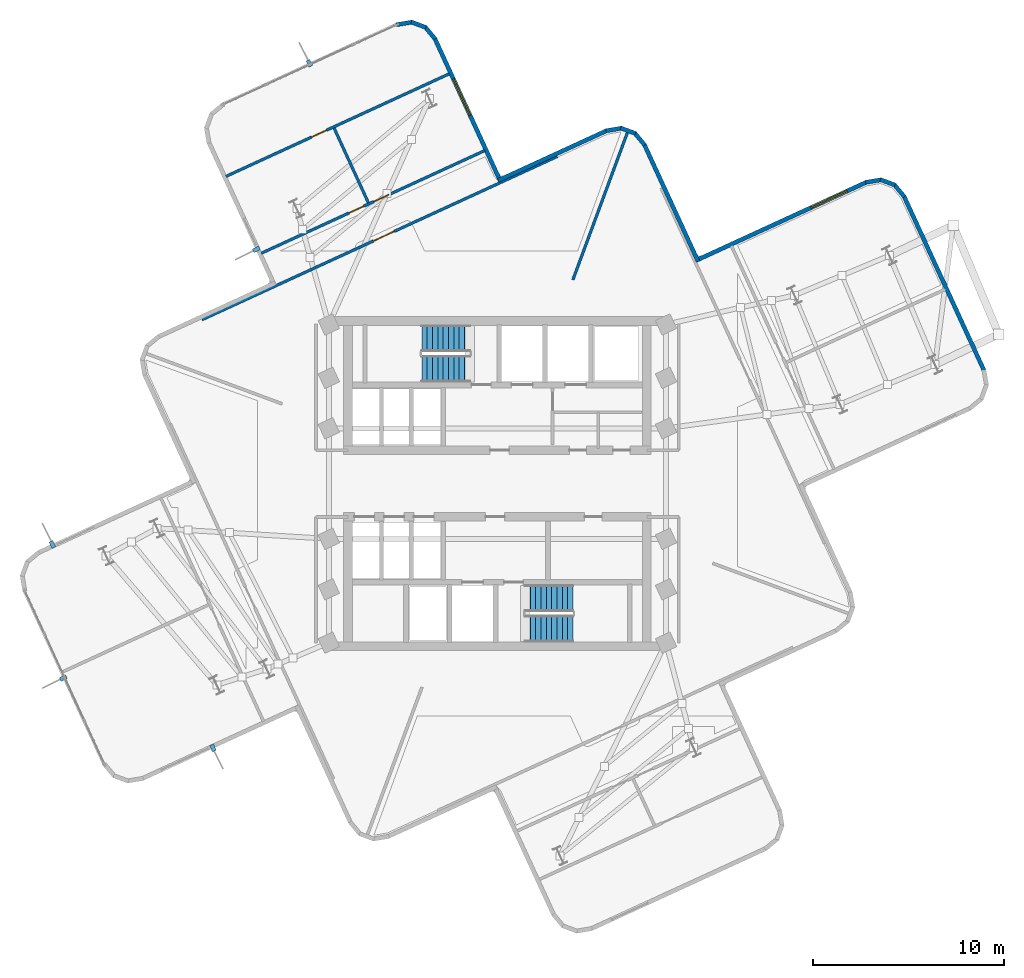
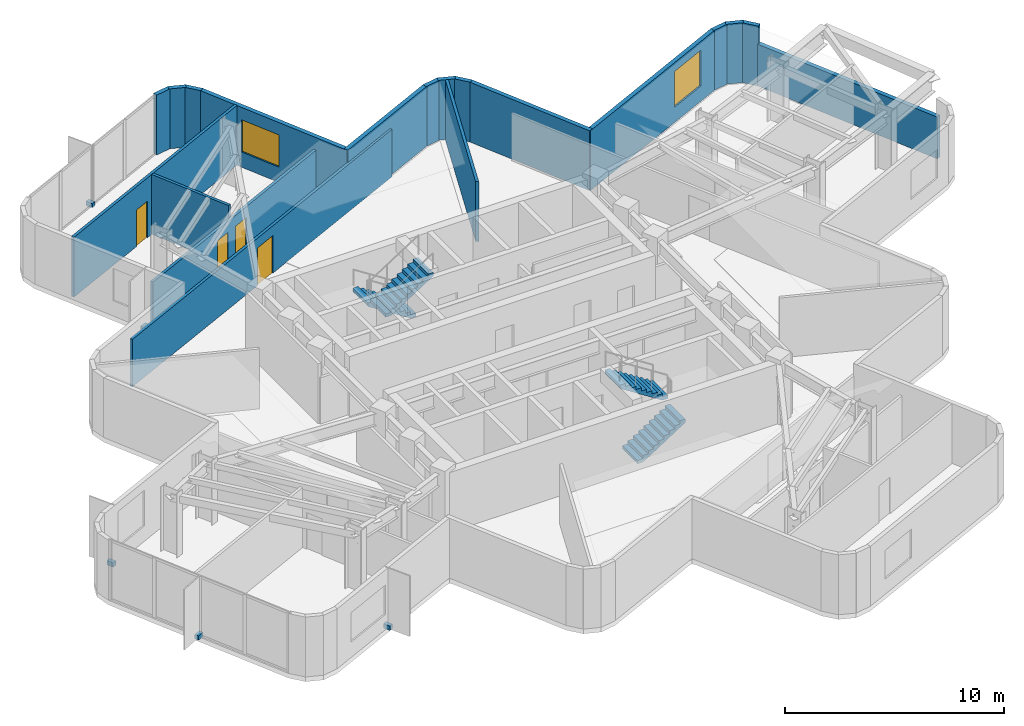
# One storey, part 8 of 11: 19 walls, 5 discrete accessories, 4 doors, 4 stair flights, 2 windows, 6 openings, 2 elements without a shape of their own.
"""IFC4 building model written with IfcOpenShell, lengths in metres."""

from ifc_helpers import new_model, si_unit, direction, frame, frame_2d, origin, origin_2d, place, context, subcontext, project, spatial, polyline, rectangle, outline, extrude, material, layer, layer_set, type_object, element, fill, aggregate, save


model = new_model("IFC4")

# Units and contexts
model_context = context("Model", 3, precision=1e-05, world=origin(), true_north=direction((0.0, 1.0)))
body_context = subcontext(model_context, "Body", "Model", "MODEL_VIEW")
ifc_project = project(units=[si_unit("LENGTHUNIT", "METRE"), si_unit("AREAUNIT", "SQUARE_METRE"), si_unit("VOLUMEUNIT", "CUBIC_METRE"), si_unit("PLANEANGLEUNIT", "RADIAN"), si_unit("MASSUNIT", "GRAM", prefix="KILO")], contexts=[model_context])

# Site, building, storey
site_placement = place(None, origin())
site = spatial("IfcSite", under=ifc_project, at=site_placement, CompositionType="ELEMENT")
building_placement = place(site_placement, origin())
building = spatial("IfcBuilding", under=site, at=building_placement, Name="Solmarez Civic Tower", CompositionType="ELEMENT")
storey_placement = place(building_placement, frame((0.0, 0.0, 184.679931640625)))
storey = spatial("IfcBuildingStorey", under=building, at=storey_placement, Name="L49", CompositionType="ELEMENT", Elevation=184.679931640625)

# Walls
ifc_material_1 = material(Name="Precast concrete C40/50", Category="concrete")
ifc_layer_1 = layer(ifc_material_1, 0.219970703125)
ifc_layer_set_1 = layer_set([ifc_layer_1], Name="Precast concrete C40/50")
wall_type_1 = type_object("IfcWallType", Name="WALL-EXT-220", PredefinedType="SOLIDWALL", material=ifc_layer_set_1)
wall_1_placement = place(storey_placement, frame((-5.299072265625, 24.083984375, 0.0), z_axis=(0.0, 0.0, 1.0), x_axis=(0.985810875322, 0.167859816801, 0.0)))
element("IfcWall", 1, at=wall_1_placement, inside=storey, type_object=wall_type_1, Name="L49 Exterior Precast Wall 25", PredefinedType="SOLIDWALL", context=body_context, shape_type="SweptSolid", body=[
    extrude(rectangle(XDim=0.8349609375, YDim=0.219970703125, at=frame_2d((0.41748046875, 0.0))), origin(), (0.0, 0.0, 1.0), 3.340087890625),
])
wall_2_placement = place(storey_placement, frame((-4.52392578125, 24.22900390625, 0.0), z_axis=(0.0, 0.0, 1.0), x_axis=(0.937391870112, -0.348276444578, 0.0)))
element("IfcWall", 2, at=wall_2_placement, inside=storey, type_object=wall_type_1, Name="L49 Exterior Precast Wall 26", PredefinedType="SOLIDWALL", context=body_context, shape_type="SweptSolid", body=[
    extrude(rectangle(XDim=0.818115234375, YDim=0.219970703125, at=frame_2d((0.4091796875, 0.0))), origin(), (0.0, 0.0, 1.0), 3.340087890625),
])
wall_3_placement = place(storey_placement, frame((-3.7958984375, 23.971923828125, 0.0), z_axis=(0.0, 0.0, 1.0), x_axis=(0.638830552104, -0.769347467467, 0.0)))
element("IfcWall", 3, at=wall_3_placement, inside=storey, type_object=wall_type_1, Name="L49 Exterior Precast Wall 27", PredefinedType="SOLIDWALL", context=body_context, shape_type="SweptSolid", body=[
    extrude(rectangle(XDim=0.834228515625, YDim=0.219970703125, at=frame_2d((0.4169921875, 0.0))), origin(), (0.0, 0.0, 1.0), 3.340087890625),
])

# Wall, opening, window
wall_4_placement = place(storey_placement, frame((-3.2890625, 23.3720703125, 0.0), z_axis=(0.0, 0.0, 1.0), x_axis=(0.417514685416, -0.90867017529, 0.0)))
wall_4 = element("IfcWall", 4, at=wall_4_placement, inside=storey, type_object=wall_type_1, Name="L49 Exterior Precast Wall 28", PredefinedType="SOLIDWALL", context=body_context, shape_type="SweptSolid", body=[
    extrude(rectangle(XDim=8.25830078125, YDim=0.219970703125, at=frame_2d((4.129150390625, 0.0))), origin(), (0.0, 0.0, 1.0), 3.340087890625),
])
opening_1_placement = place(wall_4_placement, frame((2.35009765625, 0.0, 0.85009765625)))
opening_1 = element("IfcOpeningElement", 5, at=opening_1_placement, cuts=wall_4, Name="Opening W-07", PredefinedType="OPENING", context=body_context, shape_type="SweptSolid", body=[
    extrude(rectangle(XDim=2.10009765625, YDim=1.800048828125, at=frame_2d((1.050048828125, 0.89990234375))), frame((0.0, 0.119873046875, 0.0), z_axis=(0.0, -1.0, 0.0), x_axis=(1.0, 0.0, 0.0)), (0.0, 0.0, 1.0), 0.239990234375),
])
ifc_material_2 = material(Name="Solar Control Bronze-Tinted Insulating Glass", Category="glass")
window_type_1 = type_object("IfcWindowType", Name="WIN-2100X1800", PartitioningType="SINGLE_PANEL", PredefinedType="WINDOW", material=ifc_material_2)
window_1_placement = place(opening_1_placement, origin())
window_1 = element("IfcWindow", 6, at=window_1_placement, inside=storey, type_object=window_type_1, Name="L49 Exterior Facade Window 28", OverallHeight=1.800048828125, OverallWidth=2.10009765625, PartitioningType="SINGLE_PANEL", PredefinedType="WINDOW", context=body_context, shape_type="SweptSolid", body=[
    extrude(rectangle(XDim=2.10009765625, YDim=1.800048828125, at=frame_2d((1.050048828125, 0.89990234375))), frame((0.0, 0.030029296875, 0.0), z_axis=(0.0, -1.0, 0.0), x_axis=(1.0, 0.0, 0.0)), (0.0, 0.0, 1.0), 0.06005859375),
])
fill(opening_1, window_1)

# Walls
wall_5_placement = place(storey_placement, frame((0.0419921875, 15.910888671875, 0.0), z_axis=(0.0, 0.0, 1.0), x_axis=(0.908686412759, 0.417479344719, 0.0)))
element("IfcWall", 7, at=wall_5_placement, inside=storey, type_object=wall_type_1, Name="L49 Exterior Precast Wall 31", PredefinedType="SOLIDWALL", context=body_context, shape_type="SweptSolid", body=[
    extrude(rectangle(XDim=6.2783203125, YDim=0.219970703125, at=frame_2d((3.13916015625, 0.0))), origin(), (0.0, 0.0, 1.0), 3.340087890625),
])
wall_6_placement = place(storey_placement, frame((5.698974609375, 18.51806640625, 0.0), z_axis=(0.0, 0.0, 1.0), x_axis=(0.985892022342, 0.167382556682, 0.0)))
element("IfcWall", 8, at=wall_6_placement, inside=storey, type_object=wall_type_1, Name="L49 Exterior Precast Wall 32", PredefinedType="SOLIDWALL", context=body_context, shape_type="SweptSolid", body=[
    extrude(rectangle(XDim=0.835693359375, YDim=0.219970703125, at=frame_2d((0.41796875, 0.0))), origin(), (0.0, 0.0, 1.0), 3.340087890625),
])
wall_7_placement = place(storey_placement, frame((6.47509765625, 18.6630859375, 0.0), z_axis=(0.0, 0.0, 1.0), x_axis=(0.937294412261, -0.348538641681, 0.0)))
element("IfcWall", 9, at=wall_7_placement, inside=storey, type_object=wall_type_1, Name="L49 Exterior Precast Wall 33", PredefinedType="SOLIDWALL", context=body_context, shape_type="SweptSolid", body=[
    extrude(rectangle(XDim=0.818115234375, YDim=0.219970703125, at=frame_2d((0.4091796875, 0.0))), origin(), (0.0, 0.0, 1.0), 3.340087890625),
])
wall_8_placement = place(storey_placement, frame((7.202880859375, 18.406005859375, 0.0), z_axis=(0.0, 0.0, 1.0), x_axis=(0.638859924235, -0.769323077261, 0.0)))
element("IfcWall", 10, at=wall_8_placement, inside=storey, type_object=wall_type_1, Name="L49 Exterior Precast Wall 34", PredefinedType="SOLIDWALL", context=body_context, shape_type="SweptSolid", body=[
    extrude(rectangle(XDim=0.834716796875, YDim=0.219970703125, at=frame_2d((0.41748046875, 0.0))), origin(), (0.0, 0.0, 1.0), 3.340087890625),
])
wall_9_placement = place(storey_placement, frame((7.7099609375, 17.805908203125, 0.0), z_axis=(0.0, 0.0, 1.0), x_axis=(0.417566275734, -0.908646468859, 0.0)))
element("IfcWall", 11, at=wall_9_placement, inside=storey, type_object=wall_type_1, Name="L49 Exterior Precast Wall 35", PredefinedType="SOLIDWALL", context=body_context, shape_type="SweptSolid", body=[
    extrude(rectangle(XDim=6.75830078125, YDim=0.219970703125, at=frame_2d((3.379150390625, 0.0))), origin(), (0.0, 0.0, 1.0), 3.340087890625),
])

# Wall, opening, window
wall_10_placement = place(storey_placement, frame((10.4150390625, 11.7080078125, 0.0), z_axis=(0.0, 0.0, 1.0), x_axis=(0.908672019386, 0.41751067194, 0.0)))
wall_10 = element("IfcWall", 12, at=wall_10_placement, inside=storey, type_object=wall_type_1, Name="L49 Exterior Precast Wall 38", PredefinedType="SOLIDWALL", context=body_context, shape_type="SweptSolid", body=[
    extrude(rectangle(XDim=9.8583984375, YDim=0.219970703125, at=frame_2d((4.92919921875, 0.0))), origin(), (0.0, 0.0, 1.0), 3.340087890625),
])
opening_2_placement = place(wall_10_placement, frame((6.639892578125, 0.0, 0.85009765625)))
opening_2 = element("IfcOpeningElement", 13, at=opening_2_placement, cuts=wall_10, Name="Opening W-03", PredefinedType="OPENING", context=body_context, shape_type="SweptSolid", body=[
    extrude(rectangle(XDim=2.10009765625, YDim=2.0, at=frame_2d((1.050048828125, 1.0))), frame((0.0, 0.119873046875, 0.0), z_axis=(0.0, -1.0, 0.0), x_axis=(1.0, 0.0, 0.0)), (0.0, 0.0, 1.0), 0.239990234375),
])
window_type_2 = type_object("IfcWindowType", Name="WIN-2100X2000", PartitioningType="SINGLE_PANEL", PredefinedType="WINDOW", material=ifc_material_2)
window_2_placement = place(opening_2_placement, origin())
window_2 = element("IfcWindow", 14, at=window_2_placement, inside=storey, type_object=window_type_2, Name="L49 Exterior Facade Window 38", OverallHeight=2.0, OverallWidth=2.10009765625, PartitioningType="SINGLE_PANEL", PredefinedType="WINDOW", context=body_context, shape_type="SweptSolid", body=[
    extrude(rectangle(XDim=2.10009765625, YDim=2.0, at=frame_2d((1.050048828125, 1.0))), frame((0.0, 0.030029296875, 0.0), z_axis=(0.0, -1.0, 0.0), x_axis=(1.0, 0.0, 0.0)), (0.0, 0.0, 1.0), 0.06005859375),
])
fill(opening_2, window_2)

# Walls
wall_11_placement = place(storey_placement, frame((19.324951171875, 15.81005859375, 0.0), z_axis=(0.0, 0.0, 1.0), x_axis=(0.985859228908, 0.167575597201, 0.0)))
element("IfcWall", 15, at=wall_11_placement, inside=storey, type_object=wall_type_1, Name="L49 Exterior Precast Wall 39", PredefinedType="SOLIDWALL", context=body_context, shape_type="SweptSolid", body=[
    extrude(rectangle(XDim=0.834716796875, YDim=0.219970703125, at=frame_2d((0.41748046875, 0.0))), origin(), (0.0, 0.0, 1.0), 3.340087890625),
])
wall_12_placement = place(storey_placement, frame((20.10009765625, 15.955078125, 0.0), z_axis=(0.0, 0.0, 1.0), x_axis=(0.937294412261, -0.348538641681, 0.0)))
element("IfcWall", 16, at=wall_12_placement, inside=storey, type_object=wall_type_1, Name="L49 Exterior Precast Wall 40", PredefinedType="SOLIDWALL", context=body_context, shape_type="SweptSolid", body=[
    extrude(rectangle(XDim=0.818115234375, YDim=0.219970703125, at=frame_2d((0.4091796875, 0.0))), origin(), (0.0, 0.0, 1.0), 3.340087890625),
])
wall_13_placement = place(storey_placement, frame((20.827880859375, 15.697998046875, 0.0), z_axis=(0.0, 0.0, 1.0), x_axis=(0.638859924235, -0.769323077261, 0.0)))
element("IfcWall", 17, at=wall_13_placement, inside=storey, type_object=wall_type_1, Name="L49 Exterior Precast Wall 41", PredefinedType="SOLIDWALL", context=body_context, shape_type="SweptSolid", body=[
    extrude(rectangle(XDim=0.834716796875, YDim=0.219970703125, at=frame_2d((0.41748046875, 0.0))), origin(), (0.0, 0.0, 1.0), 3.340087890625),
])
wall_14_placement = place(storey_placement, frame((21.3349609375, 15.097900390625, 0.0), z_axis=(0.0, 0.0, 1.0), x_axis=(0.417474282076, -0.90868873868, 0.0)))
element("IfcWall", 18, at=wall_14_placement, inside=storey, type_object=wall_type_1, Name="L49 Exterior Precast Wall 42", PredefinedType="SOLIDWALL", context=body_context, shape_type="SweptSolid", body=[
    extrude(rectangle(XDim=10.101318359375, YDim=0.219970703125, at=frame_2d((5.05078125, 0.0))), origin(), (0.0, 0.0, 1.0), 2.33203125),
])
ifc_material_3 = material(Name="Gypsum Board Acoustic Steel-Stud Partition", Category="steel")
ifc_layer_2 = layer(ifc_material_3, 0.14501953125)
ifc_layer_set_2 = layer_set([ifc_layer_2], Name="Gypsum Board Acoustic Steel-Stud Partition")
wall_type_2 = type_object("IfcWallType", Name="WALL-INT-PART-150", PredefinedType="PARTITIONING", material=ifc_layer_set_2)
wall_15_placement = place(storey_placement, frame((3.958984375, 10.69091796875, 0.0), z_axis=(0.0, 0.0, 1.0), x_axis=(0.347243238044, 0.937775097576, 0.0)))
element("IfcWall", 19, at=wall_15_placement, inside=storey, type_object=wall_type_2, Name="L49 Interior Partition PT-L49-QDIV-1", PredefinedType="PARTITIONING", context=body_context, shape_type="SweptSolid", body=[
    extrude(rectangle(XDim=8.27392578125, YDim=0.14501953125, at=frame_2d((4.136962890625, 0.0))), origin(), (0.0, 0.0, 1.0), 3.340087890625),
])

# Wall, opening, door
wall_16_placement = place(storey_placement, frame((-15.508056640625, 8.60009765625, 0.0), z_axis=(0.0, 0.0, 1.0), x_axis=(0.908644148726, 0.41757132443, 0.0)))
wall_16 = element("IfcWall", 20, at=wall_16_placement, inside=storey, type_object=wall_type_2, Name="L49 Interior Partition PT-L49-N-ENT", PredefinedType="PARTITIONING", context=body_context, shape_type="SweptSolid", body=[
    extrude(rectangle(XDim=20.520751953125, YDim=0.14501953125, at=frame_2d((10.26025390625, 0.0))), origin(), (0.0, 0.0, 1.0), 2.64404296875),
])
opening_3_placement = place(wall_16_placement, frame((9.89990234375, 0.0, 0.0)))
opening_3 = element("IfcOpeningElement", 21, at=opening_3_placement, cuts=wall_16, Name="Opening D-11", PredefinedType="OPENING", context=body_context, shape_type="SweptSolid", body=[
    extrude(rectangle(XDim=1.199951171875, YDim=2.10009765625, at=frame_2d((0.60009765625, 1.050048828125))), frame((0.0, 0.08251953125, 0.0), z_axis=(0.0, -1.0, 0.0), x_axis=(1.0, 0.0, 0.0)), (0.0, 0.0, 1.0), 0.1650390625),
])
ifc_material_4 = material(Name="Glazed-Vision Acoustic Chamber Door", Category="wood")
door_type_1 = type_object("IfcDoorType", Name="DOOR-INT-1200", OperationType="NOTDEFINED", PredefinedType="DOOR", material=ifc_material_4)
door_1_placement = place(opening_3_placement, origin())
door_1 = element("IfcDoor", 22, at=door_1_placement, inside=storey, type_object=door_type_1, Name="L49 Civic Lecture Classroom First North Door", OperationType="SINGLE_SWING_LEFT", OverallHeight=2.10009765625, OverallWidth=1.199951171875, PredefinedType="DOOR", context=body_context, shape_type="SweptSolid", body=[
    extrude(rectangle(XDim=1.199951171875, YDim=2.10009765625, at=frame_2d((0.60009765625, 1.050048828125))), frame((0.0, 0.02490234375, 0.0), z_axis=(0.0, -1.0, 0.0), x_axis=(1.0, 0.0, 0.0)), (0.0, 0.0, 1.0), 0.050048828125),
])
fill(opening_3, door_1)

# Wall
wall_17_placement = place(storey_placement, frame((-6.77294921875, 14.738037109375, 0.0), z_axis=(0.0, 0.0, 1.0), x_axis=(-0.417333699104, 0.908753312837, 0.0)))
element("IfcWall", 23, at=wall_17_placement, inside=storey, type_object=wall_type_2, Name="L49 Interior Partition PT-L49-N-MM", PredefinedType="PARTITIONING", context=body_context, shape_type="SweptSolid", body=[
    extrude(rectangle(XDim=4.3203125, YDim=0.14501953125, at=frame_2d((2.16015625, 0.0))), origin(), (0.0, 0.0, 1.0), 3.340087890625),
])

# Wall, openings, doors
wall_18_placement = place(storey_placement, frame((-0.6640625, 17.47998046875, 0.0), z_axis=(0.0, 0.0, 1.0), x_axis=(-0.908648339266, -0.417562205605, 0.0)))
wall_18 = element("IfcWall", 24, at=wall_18_placement, inside=storey, type_object=wall_type_2, Name="L49 Interior Partition PT-L49-N-S1", PredefinedType="PARTITIONING", context=body_context, shape_type="SweptSolid", body=[
    extrude(rectangle(XDim=12.910400390625, YDim=0.14501953125, at=frame_2d((6.455078125, 0.0))), origin(), (0.0, 0.0, 1.0), 2.64404296875),
])
opening_4_placement = place(wall_18_placement, frame((5.544921875, 0.0, 0.0)))
opening_4 = element("IfcOpeningElement", 25, at=opening_4_placement, cuts=wall_18, Name="Opening D-14", PredefinedType="OPENING", context=body_context, shape_type="SweptSolid", body=[
    extrude(rectangle(XDim=0.860107421875, YDim=2.0400390625, at=frame_2d((0.43017578125, 1.02001953125))), frame((0.0, 0.08251953125, 0.0), z_axis=(0.0, -1.0, 0.0), x_axis=(1.0, 0.0, 0.0)), (0.0, 0.0, 1.0), 0.1650390625),
])
opening_5_placement = place(wall_18_placement, frame((6.985107421875, 0.0, 0.0)))
opening_5 = element("IfcOpeningElement", 26, at=opening_5_placement, cuts=wall_18, Name="Opening D-14", PredefinedType="OPENING", context=body_context, shape_type="SweptSolid", body=[
    extrude(rectangle(XDim=0.860107421875, YDim=2.0400390625, at=frame_2d((0.43017578125, 1.02001953125))), frame((0.0, 0.08251953125, 0.0), z_axis=(0.0, -1.0, 0.0), x_axis=(1.0, 0.0, 0.0)), (0.0, 0.0, 1.0), 0.1650390625),
])
ifc_material_5 = material(Name="Timber Storage and Pantry Door", Category="wood")
door_type_2 = type_object("IfcDoorType", Name="DOOR-INT-850", OperationType="NOTDEFINED", PredefinedType="DOOR", material=ifc_material_5)
door_2_placement = place(opening_4_placement, origin())
door_2 = element("IfcDoor", 27, at=door_2_placement, inside=storey, type_object=door_type_2, Name="L49 Catering Pantry Third North Door", OperationType="SINGLE_SWING_RIGHT", OverallHeight=2.0400390625, OverallWidth=0.860107421875, PredefinedType="DOOR", context=body_context, shape_type="SweptSolid", body=[
    extrude(rectangle(XDim=0.860107421875, YDim=2.0400390625, at=frame_2d((0.43017578125, 1.02001953125))), frame((0.0, 0.02490234375, 0.0), z_axis=(0.0, -1.0, 0.0), x_axis=(1.0, 0.0, 0.0)), (0.0, 0.0, 1.0), 0.050048828125),
])
fill(opening_4, door_2)
door_3_placement = place(opening_5_placement, origin())
door_3 = element("IfcDoor", 28, at=door_3_placement, inside=storey, type_object=door_type_2, Name="L49 Press Study Room Second North Door", OperationType="SINGLE_SWING_LEFT", OverallHeight=2.0400390625, OverallWidth=0.860107421875, PredefinedType="DOOR", context=body_context, shape_type="SweptSolid", body=[
    extrude(rectangle(XDim=0.860107421875, YDim=2.0400390625, at=frame_2d((0.43017578125, 1.02001953125))), frame((0.0, 0.02490234375, 0.0), z_axis=(0.0, -1.0, 0.0), x_axis=(1.0, 0.0, 0.0)), (0.0, 0.0, 1.0), 0.050048828125),
])
fill(opening_5, door_3)

# Wall, opening, door
wall_19_placement = place(storey_placement, frame((-14.2490234375, 16.123046875, 0.0), z_axis=(0.0, 0.0, 1.0), x_axis=(0.908677037864, 0.41749974953, 0.0)))
wall_19 = element("IfcWall", 29, at=wall_19_placement, inside=storey, type_object=wall_type_2, Name="L49 Interior Partition PT-L49-N-S2", PredefinedType="PARTITIONING", context=body_context, shape_type="SweptSolid", body=[
    extrude(rectangle(XDim=12.909912109375, YDim=0.14501953125, at=frame_2d((6.455078125, 0.0))), origin(), (0.0, 0.0, 1.0), 3.340087890625),
])
opening_6_placement = place(wall_19_placement, frame((4.93994140625, 0.0, 0.0)))
opening_6 = element("IfcOpeningElement", 30, at=opening_6_placement, cuts=wall_19, Name="Opening D-14", PredefinedType="OPENING", context=body_context, shape_type="SweptSolid", body=[
    extrude(rectangle(XDim=0.860107421875, YDim=2.0400390625, at=frame_2d((0.43017578125, 1.02001953125))), frame((0.0, 0.08251953125, 0.0), z_axis=(0.0, -1.0, 0.0), x_axis=(1.0, 0.0, 0.0)), (0.0, 0.0, 1.0), 0.1650390625),
])
door_4_placement = place(opening_6_placement, origin())
door_4 = element("IfcDoor", 31, at=door_4_placement, inside=storey, type_object=door_type_2, Name="L49 Public Exhibition Library Fourth North Door", OperationType="SINGLE_SWING_LEFT", OverallHeight=2.0400390625, OverallWidth=0.860107421875, PredefinedType="DOOR", context=body_context, shape_type="SweptSolid", body=[
    extrude(rectangle(XDim=0.860107421875, YDim=2.0400390625, at=frame_2d((0.43017578125, 1.02001953125))), frame((0.0, 0.02490234375, 0.0), z_axis=(0.0, -1.0, 0.0), x_axis=(1.0, 0.0, 0.0)), (0.0, 0.0, 1.0), 0.050048828125),
])
fill(opening_6, door_4)

# Stair, stair flights
ifc_material_6 = material(Name="Concrete C50/60", Category="concrete")
stair_type = type_object("IfcStairType", Name="STAIR-DOGLEG-140W-20R-1800", PredefinedType="HALF_TURN_STAIR", material=ifc_material_6)
stair_1_placement = place(storey_placement, origin())
stair_1 = element("IfcStair", 32, at=stair_1_placement, inside=storey, type_object=stair_type, Name="L49 North Core Protected Exit Stair ST-1", PredefinedType="HALF_TURN_STAIR")
stair_flight_type = type_object("IfcStairFlightType", Name="FLIGHT-DOGLEG-140W-10R-1800", PredefinedType="STRAIGHT", material=ifc_material_6)
stair_flight_1_placement = place(storey_placement, frame((-1.449951171875, 7.6201171875, 0.0), z_axis=(0.0, 0.0, 1.0), x_axis=(-1.0, 0.0, 0.0)))
stair_flight_1 = element("IfcStairFlight", 33, at=stair_flight_1_placement, type_object=stair_flight_type, Name="ST-1 flight 1", NumberOfRisers=10, NumberOfTreads=9, PredefinedType="STRAIGHT", RiserHeight=0.18, TreadLength=0.28, context=body_context, shape_type="SweptSolid", body=[
    extrude(outline(polyline([(0.0, 0.0), (0.0, 0.179931640625), (0.280029296875, 0.179931640625), (0.280029296875, 0.360107421875), (0.56005859375, 0.360107421875), (0.56005859375, 0.5400390625), (0.840087890625, 0.5400390625), (0.840087890625, 0.719970703125), (1.1201171875, 0.719970703125), (1.1201171875, 0.89990234375), (1.39990234375, 0.89990234375), (1.39990234375, 1.080078125), (1.679931640625, 1.080078125), (1.679931640625, 1.260009765625), (1.9599609375, 1.260009765625), (1.9599609375, 1.43994140625), (2.239990234375, 1.43994140625), (2.239990234375, 1.6201171875), (2.52001953125, 1.6201171875), (2.52001953125, 1.800048828125), (2.52001953125, 1.429931640625), (0.295654296875, 0.0), (0.0, 0.0)])), frame((0.0, 0.699951171875, 0.0), z_axis=(0.0, -1.0, 0.0), x_axis=(1.0, 0.0, 0.0)), (0.0, 0.0, 1.0), 1.39990234375),
])
stair_flight_2_placement = place(storey_placement, frame((-3.969970703125, 6.02001953125, 1.800048828125), z_axis=(0.0, 0.0, 1.0), x_axis=(1.0, 0.0, 0.0)))
stair_flight_2 = element("IfcStairFlight", 34, at=stair_flight_2_placement, type_object=stair_flight_type, Name="ST-1 flight 2", NumberOfRisers=10, NumberOfTreads=9, PredefinedType="STRAIGHT", RiserHeight=0.18, TreadLength=0.28, context=body_context, shape_type="SweptSolid", body=[
    extrude(outline(polyline([(0.0, 0.0), (0.0, 0.179931640625), (0.280029296875, 0.179931640625), (0.280029296875, 0.360107421875), (0.56005859375, 0.360107421875), (0.56005859375, 0.5400390625), (0.840087890625, 0.5400390625), (0.840087890625, 0.719970703125), (1.1201171875, 0.719970703125), (1.1201171875, 0.89990234375), (1.39990234375, 0.89990234375), (1.39990234375, 1.080078125), (1.679931640625, 1.080078125), (1.679931640625, 1.260009765625), (1.9599609375, 1.260009765625), (1.9599609375, 1.43994140625), (2.239990234375, 1.43994140625), (2.239990234375, 1.6201171875), (2.52001953125, 1.6201171875), (2.52001953125, 1.800048828125), (2.52001953125, 1.429931640625), (0.295654296875, 0.0), (0.0, 0.0)])), frame((0.0, 0.699951171875, 0.0), z_axis=(0.0, -1.0, 0.0), x_axis=(1.0, 0.0, 0.0)), (0.0, 0.0, 1.0), 1.39990234375),
])
aggregate(stair_1, [stair_flight_1, stair_flight_2])

stair_2_placement = place(storey_placement, origin())
stair_2 = element("IfcStair", 35, at=stair_2_placement, inside=storey, type_object=stair_type, Name="L49 South Core Protected Exit Stair ST-2", PredefinedType="HALF_TURN_STAIR")
stair_flight_3_placement = place(storey_placement, frame((1.449951171875, -7.6201171875, 0.0), z_axis=(0.0, 0.0, 1.0), x_axis=(1.0, 0.0, 0.0)))
stair_flight_3 = element("IfcStairFlight", 36, at=stair_flight_3_placement, type_object=stair_flight_type, Name="ST-2 flight 1", NumberOfRisers=10, NumberOfTreads=9, PredefinedType="STRAIGHT", RiserHeight=0.18, TreadLength=0.28, context=body_context, shape_type="SweptSolid", body=[
    extrude(outline(polyline([(0.0, 0.0), (0.0, 0.179931640625), (0.280029296875, 0.179931640625), (0.280029296875, 0.360107421875), (0.56005859375, 0.360107421875), (0.56005859375, 0.5400390625), (0.840087890625, 0.5400390625), (0.840087890625, 0.719970703125), (1.1201171875, 0.719970703125), (1.1201171875, 0.89990234375), (1.39990234375, 0.89990234375), (1.39990234375, 1.080078125), (1.679931640625, 1.080078125), (1.679931640625, 1.260009765625), (1.9599609375, 1.260009765625), (1.9599609375, 1.43994140625), (2.239990234375, 1.43994140625), (2.239990234375, 1.6201171875), (2.52001953125, 1.6201171875), (2.52001953125, 1.800048828125), (2.52001953125, 1.429931640625), (0.295654296875, 0.0), (0.0, 0.0)])), frame((0.0, 0.699951171875, 0.0), z_axis=(0.0, -1.0, 0.0), x_axis=(1.0, 0.0, 0.0)), (0.0, 0.0, 1.0), 1.39990234375),
])
stair_flight_4_placement = place(storey_placement, frame((3.969970703125, -6.02001953125, 1.800048828125), z_axis=(0.0, 0.0, 1.0), x_axis=(-1.0, 0.0, 0.0)))
stair_flight_4 = element("IfcStairFlight", 37, at=stair_flight_4_placement, type_object=stair_flight_type, Name="ST-2 flight 2", NumberOfRisers=10, NumberOfTreads=9, PredefinedType="STRAIGHT", RiserHeight=0.18, TreadLength=0.28, context=body_context, shape_type="SweptSolid", body=[
    extrude(outline(polyline([(0.0, 0.0), (0.0, 0.179931640625), (0.280029296875, 0.179931640625), (0.280029296875, 0.360107421875), (0.56005859375, 0.360107421875), (0.56005859375, 0.5400390625), (0.840087890625, 0.5400390625), (0.840087890625, 0.719970703125), (1.1201171875, 0.719970703125), (1.1201171875, 0.89990234375), (1.39990234375, 0.89990234375), (1.39990234375, 1.080078125), (1.679931640625, 1.080078125), (1.679931640625, 1.260009765625), (1.9599609375, 1.260009765625), (1.9599609375, 1.43994140625), (2.239990234375, 1.43994140625), (2.239990234375, 1.6201171875), (2.52001953125, 1.6201171875), (2.52001953125, 1.800048828125), (2.52001953125, 1.429931640625), (0.295654296875, 0.0), (0.0, 0.0)])), frame((0.0, 0.699951171875, 0.0), z_axis=(0.0, -1.0, 0.0), x_axis=(1.0, 0.0, 0.0)), (0.0, 0.0, 1.0), 1.39990234375),
])
aggregate(stair_2, [stair_flight_3, stair_flight_4])

# Discrete accessories
ifc_material_7 = material(Name="Stainless Steel Grade 1.4401", Category="steel")
discrete_accessory_type = type_object("IfcDiscreteAccessoryType", Name="BRACKET-SS-FIN", PredefinedType="BRACKET", material=ifc_material_7)
for number, where, z_axis, x_axis, name in (
    (38, (-14.931884765625, -13.8720703125, -0.06005859375), (0.0, 0.0, 1.0), (0.41754757183, -0.908655063959, 0.0), "L49 Stainless Fin Support Bracket FIN-L49-01"),
    (39, (-22.7890625, -10.2080078125, -0.06005859375), (0.0, 0.0, 1.0), (-0.908648278775, -0.417562337238, 0.0), "L49 Stainless Fin Support Bracket FIN-L49-02"),
    (40, (-23.360107421875, -3.195068359375, -0.06005859375), (0.0, 0.0, 1.0), (-0.41754757183, 0.908655063959, 0.0), "L49 Stainless Fin Support Bracket FIN-L49-03"),
    (41, (-12.657958984375, 12.2900390625, -0.06005859375), (0.0, 0.0, 1.0), (-0.908651665461, -0.417554967465, 0.0), "L49 Stainless Fin Support Bracket FIN-L49-04"),
    (42, (-9.8740234375, 22.06201171875, -0.06005859375), (0.0, 0.0, 1.0), (-0.417562337238, 0.908648278775, 0.0), "L49 Stainless Fin Support Bracket FIN-L49-05"),
):
    element("IfcDiscreteAccessory", number, at=place(storey_placement, frame(where, z_axis=z_axis, x_axis=x_axis)), inside=storey, type_object=discrete_accessory_type, Name=name, PredefinedType="BRACKET", context=body_context, shape_type="SweptSolid", body=[
        extrude(rectangle(XDim=0.360107421875, YDim=0.219970703125, at=origin_2d()), origin(), (0.0, 0.0, 1.0), 0.239990234375),
    ])

save(model, "model.ifc")
